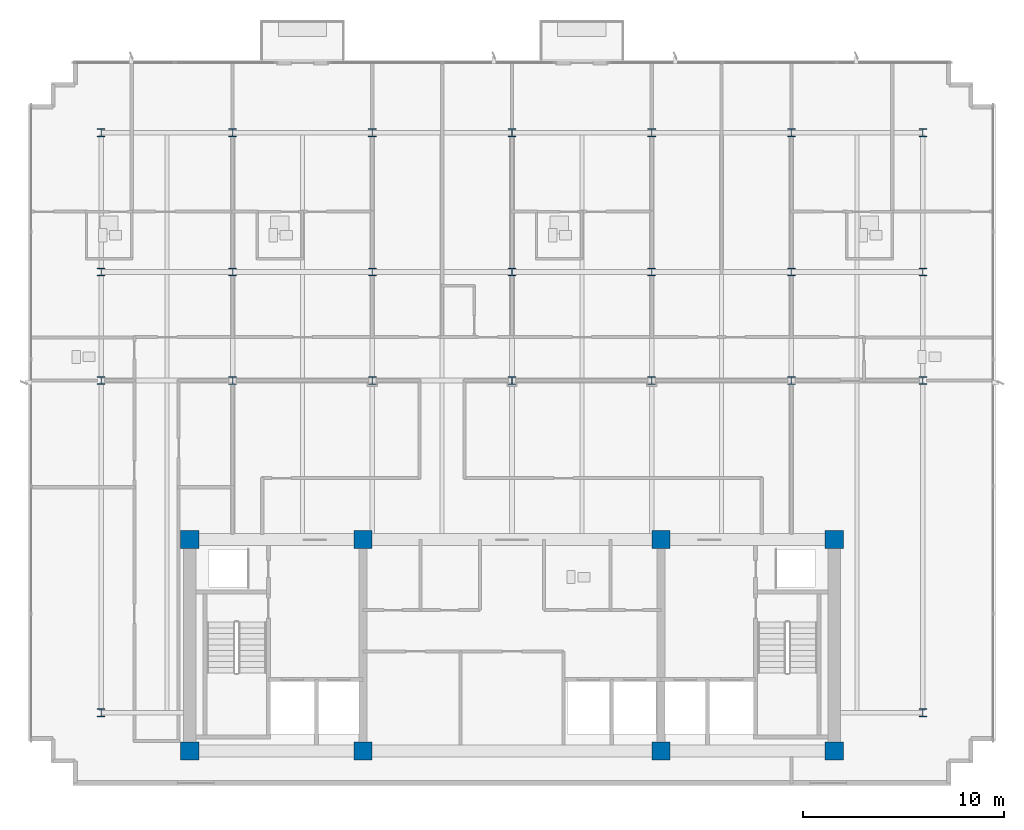
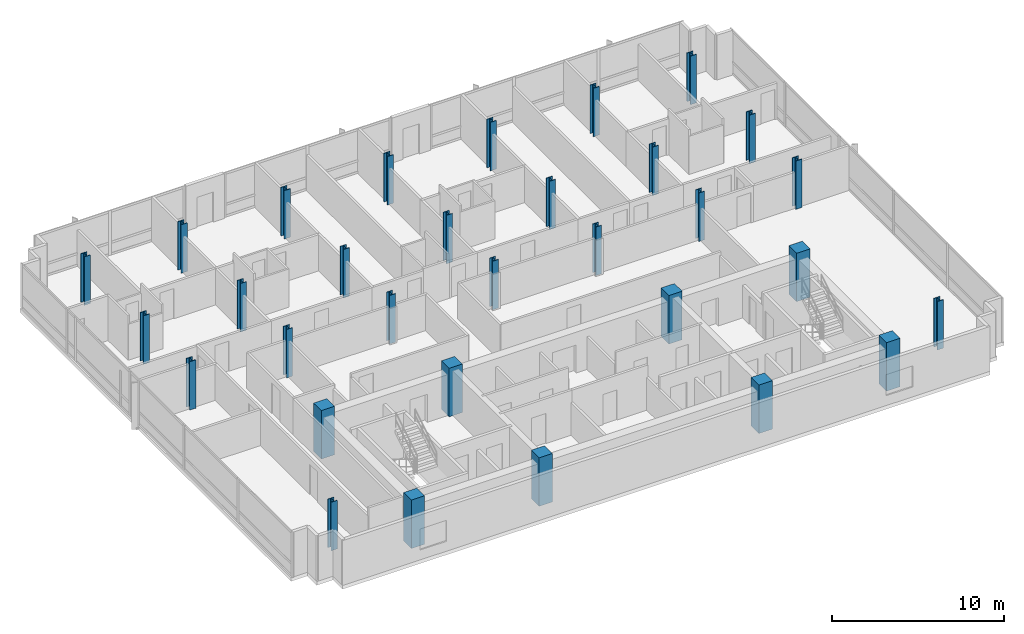
# One storey, part 1 of 15: 31 columns.
"""IFC4 building model written with IfcOpenShell, lengths in metres."""

from ifc_helpers import new_model, si_unit, direction, frame, origin, origin_2d, place, context, subcontext, project, spatial, rectangle, i_section, extrude, material, material_profile, profile_set, type_object, element, save


model = new_model("IFC4")

# Units and contexts
model_context = context("Model", 3, precision=1e-05, world=origin(), true_north=direction((0.0, 1.0)))
body_context = subcontext(model_context, "Body", "Model", "MODEL_VIEW")
ifc_project = project(units=[si_unit("LENGTHUNIT", "METRE"), si_unit("AREAUNIT", "SQUARE_METRE"), si_unit("VOLUMEUNIT", "CUBIC_METRE"), si_unit("PLANEANGLEUNIT", "RADIAN"), si_unit("MASSUNIT", "GRAM", prefix="KILO")], contexts=[model_context])

# Site, building, storey
site_placement = place(None, origin())
site = spatial("IfcSite", under=ifc_project, at=site_placement, CompositionType="ELEMENT")
building_placement = place(site_placement, origin())
building = spatial("IfcBuilding", under=site, at=building_placement, Name="Solmavex Isthmus Hotel", CompositionType="ELEMENT")
storey_placement = place(building_placement, frame((0.0, 0.0, 259.199951171875)))
storey = spatial("IfcBuildingStorey", under=building, at=storey_placement, Name="L70", CompositionType="ELEMENT", Elevation=259.199951171875)

# Columns
ifc_material_1 = material(Name="Concrete C50/60", Category="concrete")
ifc_material_profile_1 = material_profile(ifc_material_1, rectangle(XDim=0.89990234375, YDim=0.89990234375, at=origin_2d()), Name="RC900X900")
ifc_profile_set_1 = profile_set([ifc_material_profile_1], Name="Concrete C50/60")
column_type_1 = type_object("IfcColumnType", Name="COL-CC-900", PredefinedType="COLUMN", material=ifc_profile_set_1)
for number, where, z_axis, x_axis, name in (
    (1, (-16.0, -13.0, 0.0), (0.0, 0.0, 1.0), (1.0, 0.0, 0.0), "Core Pilaster CC-SW L70"),
    (2, (-7.39990234375, -13.0, 0.0), (0.0, 0.0, 1.0), (1.0, 0.0, 0.0), "Core Pilaster CC-S1 L70"),
    (3, (7.39990234375, -13.0, 0.0), (0.0, 0.0, 1.0), (1.0, 0.0, 0.0), "Core Pilaster CC-S2 L70"),
    (4, (16.0, -13.0, 0.0), (0.0, 0.0, 1.0), (1.0, 0.0, 0.0), "Core Pilaster CC-SE L70"),
    (5, (-16.0, -2.5, 0.0), (0.0, 0.0, 1.0), (1.0, 0.0, 0.0), "Core Pilaster CC-NW L70"),
    (6, (-7.39990234375, -2.5, 0.0), (0.0, 0.0, 1.0), (1.0, 0.0, 0.0), "Core Pilaster CC-N1 L70"),
    (7, (7.39990234375, -2.5, 0.0), (0.0, 0.0, 1.0), (1.0, 0.0, 0.0), "Core Pilaster CC-N2 L70"),
    (8, (16.0, -2.5, 0.0), (0.0, 0.0, 1.0), (1.0, 0.0, 0.0), "Core Pilaster CC-NE L70"),
):
    element("IfcColumn", number, at=place(storey_placement, frame(where, z_axis=z_axis, x_axis=x_axis)), inside=storey, type_object=column_type_1, Name=name, PredefinedType="COLUMN", context=body_context, shape_type="SweptSolid", body=[
        extrude(rectangle(XDim=0.89990234375, YDim=0.89990234375, at=origin_2d()), origin(), (0.0, 0.0, 1.0), 3.449951171875),
    ])
ifc_material_2 = material(Name="Steel ASTM A913 Grade 65", Category="steel")
ifc_material_profile_2 = material_profile(ifc_material_2, i_section(OverallWidth=0.4013671875, OverallDepth=0.3994140625, WebThickness=0.02490234375, FlangeThickness=0.03955078125, FilletRadius=0.030517578125, at=origin_2d()), Name="W14X211")
ifc_profile_set_2 = profile_set([ifc_material_profile_2], Name="Steel ASTM A913 Grade 65")
column_type_2 = type_object("IfcColumnType", Name="COL-SC-W14X211", PredefinedType="COLUMN", material=ifc_profile_set_2)
for number, where, z_axis, x_axis, name in (
    (9, (-13.8720703125, 5.39990234375, 0.0), (0.0, 0.0, 1.0), (1.0, 0.0, 0.0), "Tower Column B5-U2V2 L70"),
    (10, (-13.8720703125, 10.7880859375, 0.0), (0.0, 0.0, 1.0), (1.0, 0.0, 0.0), "Tower Column B5-U2V3 L70"),
    (11, (-6.93603515625, 5.39990234375, 0.0), (0.0, 0.0, 1.0), (1.0, 0.0, 0.0), "Tower Column B5-U3V2 L70"),
    (12, (-6.93603515625, 10.7880859375, 0.0), (0.0, 0.0, 1.0), (1.0, 0.0, 0.0), "Tower Column B5-U3V3 L70"),
    (13, (0.0, 5.39990234375, 0.0), (0.0, 0.0, 1.0), (1.0, 0.0, 0.0), "Tower Column B5-U4V2 L70"),
    (14, (0.0, 10.7880859375, 0.0), (0.0, 0.0, 1.0), (1.0, 0.0, 0.0), "Tower Column B5-U4V3 L70"),
    (15, (6.93603515625, 5.39990234375, 0.0), (0.0, 0.0, 1.0), (1.0, 0.0, 0.0), "Tower Column B5-U5V2 L70"),
    (16, (6.93603515625, 10.7880859375, 0.0), (0.0, 0.0, 1.0), (1.0, 0.0, 0.0), "Tower Column B5-U5V3 L70"),
    (17, (13.8720703125, 5.39990234375, 0.0), (0.0, 0.0, 1.0), (1.0, 0.0, 0.0), "Tower Column B5-U6V2 L70"),
    (18, (13.8720703125, 10.7880859375, 0.0), (0.0, 0.0, 1.0), (1.0, 0.0, 0.0), "Tower Column B5-U6V3 L70"),
):
    element("IfcColumn", number, at=place(storey_placement, frame(where, z_axis=z_axis, x_axis=x_axis)), inside=storey, type_object=column_type_2, Name=name, PredefinedType="COLUMN", context=body_context, shape_type="SweptSolid", body=[
        extrude(i_section(OverallWidth=0.4013671875, OverallDepth=0.3994140625, WebThickness=0.02490234375, FlangeThickness=0.03955078125, FilletRadius=0.030517578125, at=origin_2d()), origin(), (0.0, 0.0, 1.0), 3.449951171875),
    ])
ifc_material_profile_3 = material_profile(ifc_material_2, i_section(OverallWidth=0.40625, OverallDepth=0.416015625, WebThickness=0.02978515625, FlangeThickness=0.048095703125, FilletRadius=0.030517578125, at=origin_2d()), Name="W14X257")
ifc_profile_set_3 = profile_set([ifc_material_profile_3], Name="Steel ASTM A913 Grade 65")
column_type_3 = type_object("IfcColumnType", Name="COL-SC-W14X257", PredefinedType="COLUMN", material=ifc_profile_set_3)
for number, where, z_axis, x_axis, name in (
    (19, (-20.39990234375, -11.10009765625, 0.0), (0.0, 0.0, 1.0), (1.0, 0.0, 0.0), "Tower Column B5-U1V1 L70"),
    (20, (-20.39990234375, 5.39990234375, 0.0), (0.0, 0.0, 1.0), (1.0, 0.0, 0.0), "Tower Column B5-U1V2 L70"),
    (21, (-20.39990234375, 10.7880859375, 0.0), (0.0, 0.0, 1.0), (1.0, 0.0, 0.0), "Tower Column B5-U1V3 L70"),
    (22, (-20.39990234375, 17.699951171875, 0.0), (0.0, 0.0, 1.0), (1.0, 0.0, 0.0), "Tower Column B5-U1V4 L70"),
    (23, (-13.8720703125, 17.699951171875, 0.0), (0.0, 0.0, 1.0), (1.0, 0.0, 0.0), "Tower Column B5-U2V4 L70"),
    (24, (-6.93603515625, 17.699951171875, 0.0), (0.0, 0.0, 1.0), (1.0, 0.0, 0.0), "Tower Column B5-U3V4 L70"),
    (25, (0.0, 17.699951171875, 0.0), (0.0, 0.0, 1.0), (1.0, 0.0, 0.0), "Tower Column B5-U4V4 L70"),
    (26, (6.93603515625, 17.699951171875, 0.0), (0.0, 0.0, 1.0), (1.0, 0.0, 0.0), "Tower Column B5-U5V4 L70"),
    (27, (13.8720703125, 17.699951171875, 0.0), (0.0, 0.0, 1.0), (1.0, 0.0, 0.0), "Tower Column B5-U6V4 L70"),
    (28, (20.39990234375, -11.10009765625, 0.0), (0.0, 0.0, 1.0), (1.0, 0.0, 0.0), "Tower Column B5-U7V1 L70"),
    (29, (20.39990234375, 5.39990234375, 0.0), (0.0, 0.0, 1.0), (1.0, 0.0, 0.0), "Tower Column B5-U7V2 L70"),
    (30, (20.39990234375, 10.7880859375, 0.0), (0.0, 0.0, 1.0), (1.0, 0.0, 0.0), "Tower Column B5-U7V3 L70"),
    (31, (20.39990234375, 17.699951171875, 0.0), (0.0, 0.0, 1.0), (1.0, 0.0, 0.0), "Tower Column B5-U7V4 L70"),
):
    element("IfcColumn", number, at=place(storey_placement, frame(where, z_axis=z_axis, x_axis=x_axis)), inside=storey, type_object=column_type_3, Name=name, PredefinedType="COLUMN", context=body_context, shape_type="SweptSolid", body=[
        extrude(i_section(OverallWidth=0.40625, OverallDepth=0.416015625, WebThickness=0.02978515625, FlangeThickness=0.048095703125, FilletRadius=0.030517578125, at=origin_2d()), origin(), (0.0, 0.0, 1.0), 3.449951171875),
    ])

save(model, "model.ifc")
